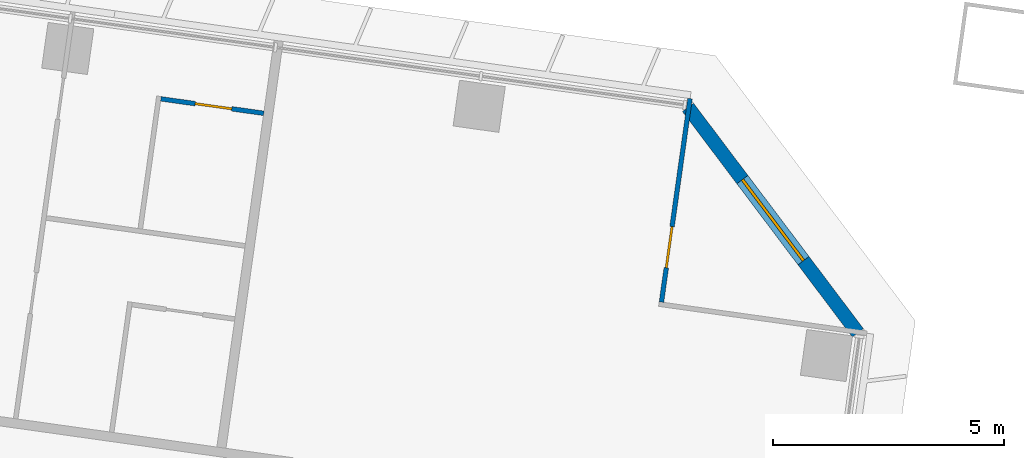
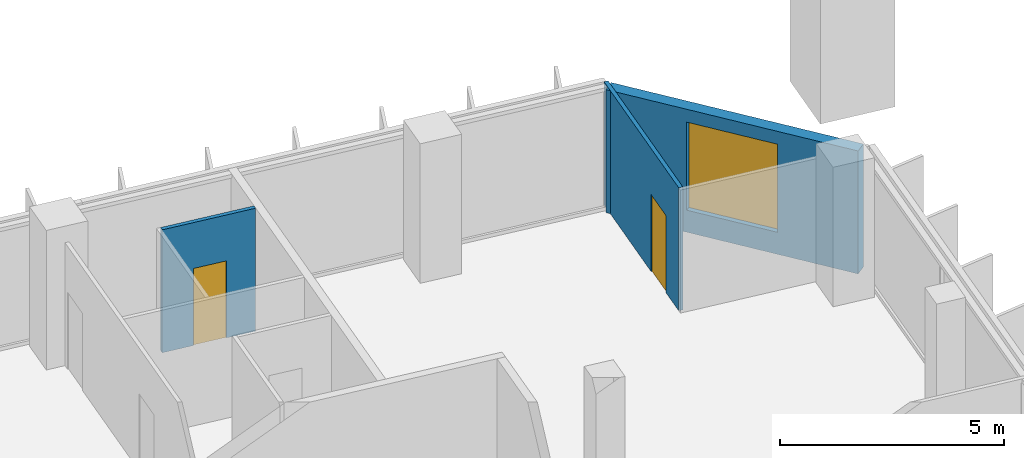
# One storey, part 18 of 25: 3 walls, 2 doors, 1 window, 3 openings.
"""IFC4 building model written with IfcOpenShell, lengths in metres."""

from ifc_helpers import new_model, si_unit, direction, frame, frame_2d, origin, place, context, subcontext, project, spatial, rectangle, extrude, material, layer, layer_set, type_object, element, fill, save


model = new_model("IFC4")

# Units and contexts
model_context = context("Model", 3, precision=1e-05, world=origin(), true_north=direction((0.0, 1.0)))
body_context = subcontext(model_context, "Body", "Model", "MODEL_VIEW")
ifc_project = project(units=[si_unit("LENGTHUNIT", "METRE"), si_unit("AREAUNIT", "SQUARE_METRE"), si_unit("VOLUMEUNIT", "CUBIC_METRE"), si_unit("PLANEANGLEUNIT", "RADIAN"), si_unit("MASSUNIT", "GRAM", prefix="KILO")], contexts=[model_context])

# Site, building, storey
site_placement = place(None, origin())
site = spatial("IfcSite", under=ifc_project, at=site_placement, CompositionType="ELEMENT")
building_placement = place(site_placement, origin())
building = spatial("IfcBuilding", under=site, at=building_placement, Name="Mirante Cascada Hotel Towers", CompositionType="ELEMENT")
storey_placement = place(building_placement, frame((0.0, 0.0, 54.7)))
storey = spatial("IfcBuildingStorey", under=building, at=storey_placement, Name="L10", CompositionType="ELEMENT", Elevation=54.7)

# Wall, opening, door
ifc_material_1 = material(Name="Plasterboard on metal studs")
ifc_layer_1 = layer(ifc_material_1, 0.1)
ifc_layer_set_1 = layer_set([ifc_layer_1], Name="Partition 100")
wall_type_1 = type_object("IfcWallType", Name="Partition 100", PredefinedType="PARTITIONING", material=ifc_layer_set_1)
wall_1_placement = place(storey_placement, frame((-43.2741, 17.4366, 0.0), z_axis=(0.0, 0.0, 1.0), x_axis=(0.9902643, -0.1391997, 0.0)))
wall_1 = element("IfcWall", 1, at=wall_1_placement, inside=storey, type_object=wall_type_1, Name="Wall 1-L10-28", PredefinedType="PARTITIONING", context=body_context, shape_type="SweptSolid", body=[
    extrude(rectangle(XDim=2.25, YDim=0.1, at=frame_2d((1.125, 0.0))), origin(), (0.0, 0.0, 1.0), 3.35),
])
opening_1_placement = place(wall_1_placement, frame((0.75, 0.0, 0.0)))
opening_1 = element("IfcOpeningElement", 2, at=opening_1_placement, cuts=wall_1, Name="Opening D1-L10-23", PredefinedType="OPENING", context=body_context, shape_type="SweptSolid", body=[
    extrude(rectangle(XDim=0.8, YDim=2.1, at=frame_2d((0.4, 1.05))), frame((0.0, 0.05, 0.0), z_axis=(0.0, -1.0, 0.0), x_axis=(1.0, 0.0, 0.0)), (0.0, 0.0, 1.0), 0.1),
])
ifc_material_2 = material(Name="Timber door leaf", Category="wood")
door_type_1 = type_object("IfcDoorType", Name="Bathroom door DG4 800x2100", OperationType="SINGLE_SWING_LEFT", PredefinedType="DOOR", material=ifc_material_2)
door_1_placement = place(opening_1_placement, frame((0.8, 0.0, 0.0), z_axis=(0.0, 0.0, 1.0), x_axis=(-1.0, 0.0, 0.0)))
door_1 = element("IfcDoor", 3, at=door_1_placement, inside=storey, type_object=door_type_1, Name="Door D1-L10-23", OperationType="SINGLE_SWING_RIGHT", OverallHeight=2.1, OverallWidth=0.8, PredefinedType="DOOR", context=body_context, shape_type="SweptSolid", body=[
    extrude(rectangle(XDim=0.8, YDim=2.1, at=frame_2d((0.4, 1.05))), frame((0.0, 0.025, 0.0), z_axis=(0.0, -1.0, 0.0), x_axis=(1.0, 0.0, 0.0)), (0.0, 0.0, 1.0), 0.05),
])
fill(opening_1, door_1)

wall_2_placement = place(storey_placement, frame((-31.8119, 17.4414, 0.0), z_axis=(0.0, 0.0, 1.0), x_axis=(-0.1391684, -0.9902687, 0.0)))
wall_2 = element("IfcWall", 4, at=wall_2_placement, inside=storey, type_object=wall_type_1, Name="Wall 1-L10-34", PredefinedType="PARTITIONING", context=body_context, shape_type="SweptSolid", body=[
    extrude(rectangle(XDim=4.45, YDim=0.1, at=frame_2d((2.225, 0.0))), origin(), (0.0, 0.0, 1.0), 3.35),
])
opening_2_placement = place(wall_2_placement, frame((2.8, 0.0, 0.0)))
opening_2 = element("IfcOpeningElement", 5, at=opening_2_placement, cuts=wall_2, Name="Opening D1-L10-29", PredefinedType="OPENING", context=body_context, shape_type="SweptSolid", body=[
    extrude(rectangle(XDim=0.9, YDim=2.1, at=frame_2d((0.45, 1.05))), frame((0.0, 0.05, 0.0), z_axis=(0.0, -1.0, 0.0), x_axis=(1.0, 0.0, 0.0)), (0.0, 0.0, 1.0), 0.1),
])
ifc_material_3 = material(Name="Timber door leaf", Category="wood")
door_type_2 = type_object("IfcDoorType", Name="Room door DG3 900x2100", OperationType="SINGLE_SWING_LEFT", PredefinedType="DOOR", material=ifc_material_3)
door_2_placement = place(opening_2_placement, frame((0.9, 0.0, 0.0), z_axis=(0.0, 0.0, 1.0), x_axis=(-1.0, 0.0, 0.0)))
door_2 = element("IfcDoor", 6, at=door_2_placement, inside=storey, type_object=door_type_2, Name="Door D1-L10-29", OperationType="SINGLE_SWING_RIGHT", OverallHeight=2.1, OverallWidth=0.9, PredefinedType="DOOR", context=body_context, shape_type="SweptSolid", body=[
    extrude(rectangle(XDim=0.9, YDim=2.1, at=frame_2d((0.45, 1.05))), frame((0.0, 0.025, 0.0), z_axis=(0.0, -1.0, 0.0), x_axis=(1.0, 0.0, 0.0)), (0.0, 0.0, 1.0), 0.05),
])
fill(opening_2, door_2)

# Wall, opening, window
ifc_material_4 = material(Name="Precast concrete C40/50", Category="concrete")
ifc_layer_2 = layer(ifc_material_4, 0.3)
ifc_layer_set_2 = layer_set([ifc_layer_2], Name="Precast concrete C40/50 cladding wall 300")
wall_type_2 = type_object("IfcWallType", Name="Precast concrete C40/50 cladding wall 300", PredefinedType="STANDARD", material=ifc_layer_set_2)
wall_3_placement = place(storey_placement, frame((-31.857, 17.252, 0.0), z_axis=(0.0, 0.0, 1.0), x_axis=(0.6018141, -0.7986362, 0.0)))
wall_3 = element("IfcWall", 7, at=wall_3_placement, inside=storey, type_object=wall_type_2, Name="Corner cladding wall T1 L10 front inner", PredefinedType="STANDARD", context=body_context, shape_type="SweptSolid", body=[
    extrude(rectangle(XDim=6.1157, YDim=0.3, at=frame_2d((3.0578, 0.0))), origin(), (0.0, 0.0, 1.0), 3.35),
])
opening_3_placement = place(wall_3_placement, frame((1.9578, 0.0, 0.6)))
opening_3 = element("IfcOpeningElement", 8, at=opening_3_placement, cuts=wall_3, Name="Opening W1-10-04", PredefinedType="OPENING", context=body_context, shape_type="SweptSolid", body=[
    extrude(rectangle(XDim=2.2, YDim=2.4, at=frame_2d((1.1, 1.2))), frame((0.0, 0.15, 0.0), z_axis=(0.0, -1.0, 0.0), x_axis=(1.0, 0.0, 0.0)), (0.0, 0.0, 1.0), 0.3),
])
ifc_material_5 = material(Name="Aluminium frame with clear double glazing", Category="aluminium")
window_type = type_object("IfcWindowType", Name="Corner suite window 2200x2400", PartitioningType="DOUBLE_PANEL_VERTICAL", PredefinedType="WINDOW", material=ifc_material_5)
window_placement = place(opening_3_placement, origin())
window = element("IfcWindow", 9, at=window_placement, inside=storey, type_object=window_type, Name="Window W1-10-04", OverallHeight=2.4, OverallWidth=2.2, PartitioningType="SINGLE_PANEL", PredefinedType="WINDOW", context=body_context, shape_type="SweptSolid", body=[
    extrude(rectangle(XDim=2.2, YDim=2.4, at=frame_2d((1.1, 1.2))), frame((0.0, 0.03, 0.0), z_axis=(0.0, -1.0, 0.0), x_axis=(1.0, 0.0, 0.0)), (0.0, 0.0, 1.0), 0.06),
])
fill(opening_3, window)

save(model, "model.ifc")
